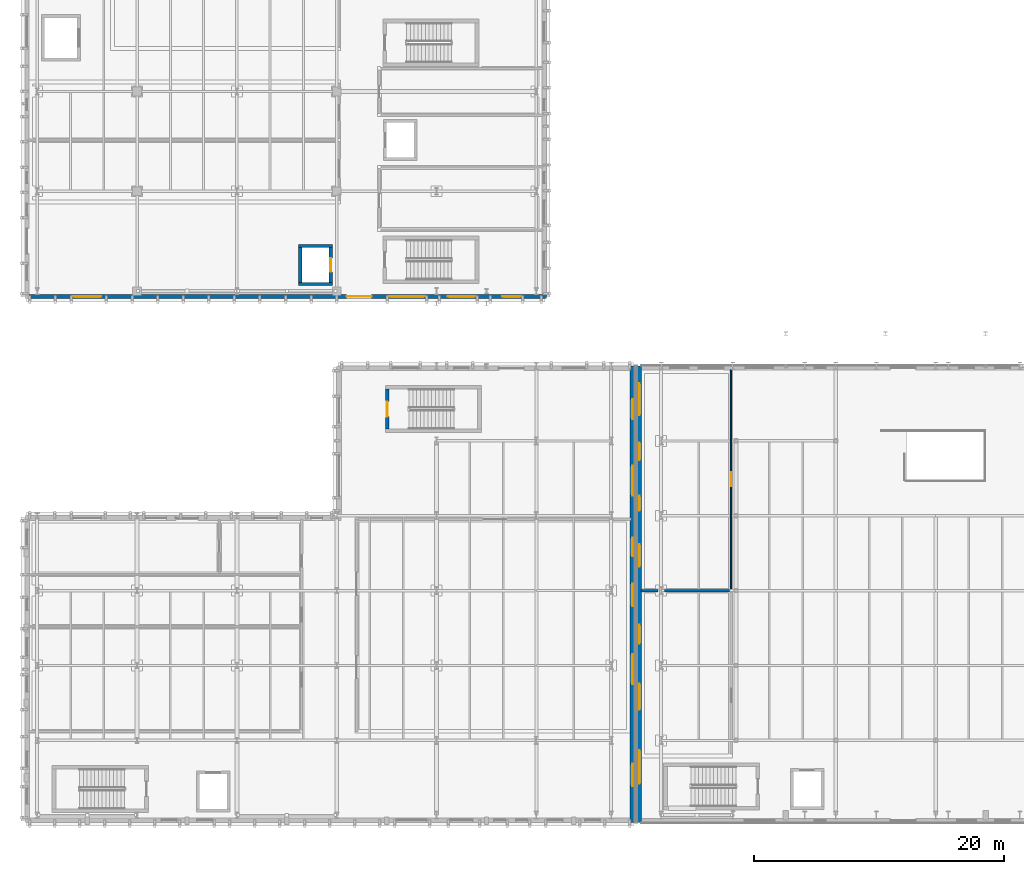
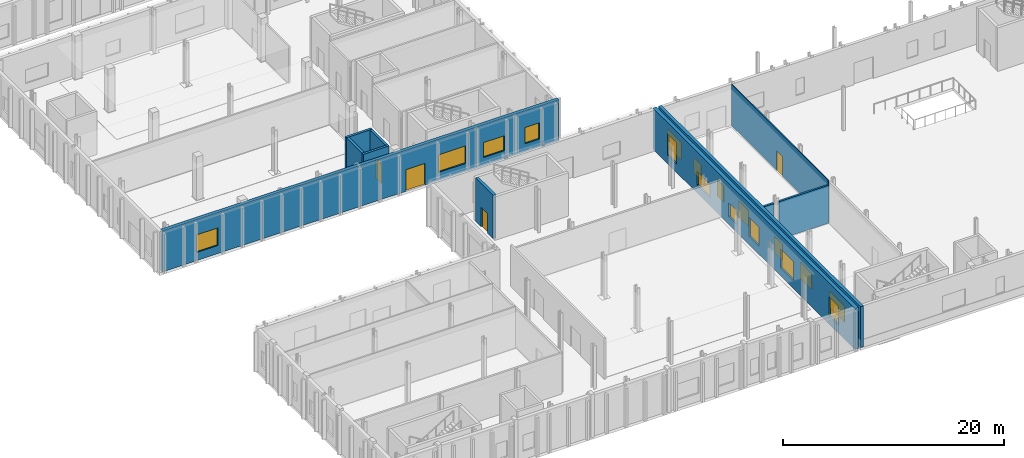
# One storey, part 23 of 60: 17 windows, 11 walls, 4 doors, 21 openings.
"""IFC4 building model written with IfcOpenShell, lengths in metres."""

import ifcopenshell
import ifcopenshell.guid

model = None  # the IFC model being written
_history = None  # IfcOwnerHistory: only IFC2X3 demands one
_inside = {}  # id of a spatial element -> (the spatial element, [elements in it])
_under = {}  # id of a project, library or spatial element -> (it, [spatial elements below it])
_declared = {}  # id of a project -> (the project, [libraries it declares])
_typed = {}  # id of a type object -> (the type object, [elements of that type])
_made_of = {}  # id of a material, layer set ... -> (it, [elements and type objects made of it])


def new_model(schema):
    """Start an empty IFC model of exactly this schema.

    Asked for "IFC4X3", IfcOpenShell would pick the latest addendum, in which some entities
    have other attributes; the version numbers below select the first issue.
    IFC2X3 requires an IfcOwnerHistory on every rooted entity: one is made here for all.
    """
    global model, _history
    if schema == "IFC4X3":
        model = ifcopenshell.file(schema_version=(4, 3, 0, 0))
    else:
        model = ifcopenshell.file(schema=schema)
    _inside.clear()
    _under.clear()
    _declared.clear()
    _typed.clear()
    _made_of.clear()
    _history = None
    if model.schema == "IFC2X3":
        org = make("IfcOrganization", Name="unknown")
        user = make(
            "IfcPersonAndOrganization",
            ThePerson=make("IfcPerson", FamilyName="unknown"),
            TheOrganization=org,
        )
        app = make(
            "IfcApplication",
            ApplicationDeveloper=org,
            Version="unknown",
            ApplicationFullName="unknown",
            ApplicationIdentifier="unknown",
        )
        _history = make(
            "IfcOwnerHistory",
            OwningUser=user,
            OwningApplication=app,
            ChangeAction="ADDED",
            CreationDate=0,
        )
    return model


def make(cls, **values):
    """One entity of the class cls with the attributes given. An attribute that is None is left unset."""
    return model.create_entity(
        cls, **{name: value for name, value in values.items() if value is not None}
    )


def rooted(cls, **values):
    """An entity with a GlobalId (a new one), such as an element, a storey or a relation."""
    return make(cls, GlobalId=ifcopenshell.guid.new(), OwnerHistory=_history, **values)


def si_unit(unit_type, name, prefix=None):
    """IfcSIUnit, for example si_unit("LENGTHUNIT", "METRE", prefix="MILLI")."""
    return make("IfcSIUnit", UnitType=unit_type, Prefix=prefix, Name=name)


def assignment(units):
    """IfcUnitAssignment: the units of a project."""
    return None if units is None else make("IfcUnitAssignment", Units=units)


def point(xyz):
    """IfcCartesianPoint."""
    return None if xyz is None else make("IfcCartesianPoint", Coordinates=xyz)


def direction(xyz):
    """IfcDirection."""
    return None if xyz is None else make("IfcDirection", DirectionRatios=xyz)


def frame(location, z_axis=None, x_axis=None):
    """IfcAxis2Placement3D, a coordinate frame: its origin and axes. An axis left out is left unset."""
    return make(
        "IfcAxis2Placement3D",
        Location=point(location),
        Axis=direction(z_axis),
        RefDirection=direction(x_axis),
    )


def frame_2d(location, x_axis=None):
    """IfcAxis2Placement2D, a coordinate frame in the plane: its origin and x axis."""
    return make(
        "IfcAxis2Placement2D", Location=point(location), RefDirection=direction(x_axis)
    )


def origin():
    """The frame at (0, 0, 0) with its axes left unset."""
    return frame((0.0, 0.0, 0.0))


def place(relative_to, where):
    """IfcLocalPlacement: puts the frame where relative to a parent placement (None: the world)."""
    return make(
        "IfcLocalPlacement", PlacementRelTo=relative_to, RelativePlacement=where
    )


def context(
    kind, dimensions, precision=None, world=None, true_north=None, identifier=None
):
    """IfcGeometricRepresentationContext, for example the 3D "Model" context."""
    return make(
        "IfcGeometricRepresentationContext",
        ContextIdentifier=identifier,
        ContextType=kind,
        CoordinateSpaceDimension=dimensions,
        Precision=precision,
        WorldCoordinateSystem=world,
        TrueNorth=true_north,
    )


def subcontext(parent, identifier, kind, view, scale=None):
    """IfcGeometricRepresentationSubContext, for example "Body" below "Model"."""
    return make(
        "IfcGeometricRepresentationSubContext",
        ContextIdentifier=identifier,
        ContextType=kind,
        ParentContext=parent,
        TargetScale=scale,
        TargetView=view,
    )


def project(units=None, contexts=None):
    """IfcProject with its units and contexts."""
    return rooted(
        "IfcProject",
        Name="project",
        RepresentationContexts=contexts,
        UnitsInContext=assignment(units),
    )


def spatial(cls, under=None, at=None, **own):
    """A site, building, storey or space (cls), placed at a placement, below another one or the project."""
    s = rooted(cls, ObjectPlacement=at, **own)
    if under is not None:
        _under.setdefault(under.id(), (under, []))[1].append(s)
    return s


def profile(cls, at=None, kind="AREA", **sizes):
    """A parametric profile (cls). Its sizes go by their IFC names, for example OverallWidth=200.0."""
    return make(cls, ProfileType=kind, Position=at, **sizes)


def rectangle(**sizes):
    """IfcRectangleProfileDef."""
    return profile("IfcRectangleProfileDef", **sizes)


def extrude(swept, where, along, depth):
    """IfcExtrudedAreaSolid: the profile swept, set in the frame where, extruded along a direction by depth."""
    return make(
        "IfcExtrudedAreaSolid",
        SweptArea=swept,
        Position=where,
        ExtrudedDirection=direction(along),
        Depth=depth,
    )


def shape(context_of_items, identifier, shape_type, items):
    """IfcShapeRepresentation: the items that make up one representation, for example the "Body"."""
    return make(
        "IfcShapeRepresentation",
        ContextOfItems=context_of_items,
        RepresentationIdentifier=identifier,
        RepresentationType=shape_type,
        Items=items,
    )


def material(Name=None, Category=None):
    """IfcMaterial."""
    return make("IfcMaterial", Name=Name, Category=Category)


def layer(
    of_material, thickness, ventilated=None, Name=None, Category=None, Priority=None
):
    """IfcMaterialLayer: one layer of a wall or slab, of a material (None: an air gap)."""
    return make(
        "IfcMaterialLayer",
        Material=of_material,
        LayerThickness=thickness,
        IsVentilated=ventilated,
        Name=Name,
        Category=Category,
        Priority=Priority,
    )


def layer_set(layers, Name=None):
    """IfcMaterialLayerSet."""
    return make("IfcMaterialLayerSet", MaterialLayers=layers, LayerSetName=Name)


def made_of(thing, what):
    """Note that an element or type object is made of a material, layer set ...; save() writes the relation."""
    if what is not None:
        _made_of.setdefault(what.id(), (what, []))[1].append(thing)
    return thing


def type_object(cls, material=None, **own):
    """A type object (cls), such as IfcWallType, which elements share."""
    return made_of(rooted(cls, **own), material)


def element(
    cls,
    number,
    at=None,
    inside=None,
    cuts=None,
    type_object=None,
    material=None,
    context=None,
    identifier="Body",
    shape_type=None,
    held_by="IfcProductDefinitionShape",
    body=None,
    shapes=None,
    **own,
):
    """One element of the class cls, such as IfcWall. Its Tag is "e" and its number.

    at: its placement. inside: the storey or other place that contains it. cuts: it is an
    opening in that element (IfcRelVoidsElement). A single representation is given by context,
    identifier, shape_type and body (its items); several are given by shapes. held_by: the class
    of the entity that holds the representations. save() writes the other relations.
    """
    e = rooted(cls, Tag="e%d" % number, ObjectPlacement=at, **own)
    if body is not None:
        shapes = [shape(context, identifier, shape_type, body)]
    if shapes is not None:
        e.Representation = make(held_by, Representations=shapes)
    if inside is not None:
        _inside.setdefault(inside.id(), (inside, []))[1].append(e)
    if cuts is not None:
        rooted(
            "IfcRelVoidsElement", RelatingBuildingElement=cuts, RelatedOpeningElement=e
        )
    if type_object is not None:
        _typed.setdefault(type_object.id(), (type_object, []))[1].append(e)
    return made_of(e, material)


def fill(opening, filler):
    """IfcRelFillsElement: the door or window that sits in an opening."""
    return rooted(
        "IfcRelFillsElement",
        RelatingOpeningElement=opening,
        RelatedBuildingElement=filler,
    )


def aggregate(whole, parts):
    """IfcRelAggregates: a whole, such as a stair, and the parts it consists of."""
    return rooted("IfcRelAggregates", RelatingObject=whole, RelatedObjects=parts)


def save(model, path):
    """Write the relations noted so far, then the file.

    IfcRelAggregates (storeys below a building ...), IfcRelContainedInSpatialStructure (elements
    in a storey), IfcRelDefinesByType, IfcRelAssociatesMaterial and IfcRelDeclares: one each for
    every whole, place, type object, material and project.
    """
    for whole, parts in _under.values():
        aggregate(whole, parts)
    for where, things in _inside.values():
        rooted(
            "IfcRelContainedInSpatialStructure",
            RelatedElements=things,
            RelatingStructure=where,
        )
    for kind, things in _typed.values():
        rooted("IfcRelDefinesByType", RelatedObjects=things, RelatingType=kind)
    for what, things in _made_of.values():
        rooted("IfcRelAssociatesMaterial", RelatedObjects=things, RelatingMaterial=what)
    for by, libraries in _declared.values():
        rooted("IfcRelDeclares", RelatingContext=by, RelatedDefinitions=libraries)
    model.write(path)


model = new_model("IFC4")

# Units and contexts
model_context = context("Model", 3, precision=1e-05, world=origin(), true_north=direction((0.0, 1.0)))
body_context = subcontext(model_context, "Body", "Model", "MODEL_VIEW")
ifc_project = project(units=[si_unit("LENGTHUNIT", "METRE"), si_unit("AREAUNIT", "SQUARE_METRE"), si_unit("VOLUMEUNIT", "CUBIC_METRE"), si_unit("PLANEANGLEUNIT", "RADIAN"), si_unit("MASSUNIT", "GRAM", prefix="KILO")], contexts=[model_context])

# Site, building, storey
site_placement = place(None, origin())
site = spatial("IfcSite", under=ifc_project, at=site_placement, CompositionType="ELEMENT")
building_placement = place(site_placement, origin())
building = spatial("IfcBuilding", under=site, at=building_placement, Name="Cymarion Research Institute", CompositionType="ELEMENT")
storey_placement = place(building_placement, origin())
storey = spatial("IfcBuildingStorey", under=building, at=storey_placement, Name="L00", CompositionType="ELEMENT", Elevation=0.0)

# Wall, openings, door, windows
ifc_material_1 = material(Name="Precast concrete C40/50", Category="concrete")
ifc_layer_1 = layer(ifc_material_1, 0.340087890625)
ifc_layer_set_1 = layer_set([ifc_layer_1], Name="Precast concrete C40/50")
wall_type_1 = type_object("IfcWallType", Name="EXTERIOR WALL EW-PC340 340MM", PredefinedType="SOLIDWALL", material=ifc_layer_set_1)
wall_1_placement = place(storey_placement, frame((5.922119140625, 47.070068359375, 0.0), z_axis=(0.0, 0.0, 1.0), x_axis=(1.0, 0.0, 0.0)))
wall_1 = element("IfcWall", 1, at=wall_1_placement, inside=storey, type_object=wall_type_1, Name="L00 V4 exterior wall EW-PC340 #65", PredefinedType="SOLIDWALL", context=body_context, shape_type="SweptSolid", body=[
    extrude(rectangle(XDim=41.477783203125, YDim=0.340087890625, at=frame_2d((20.73876953125, 0.0))), origin(), (0.0, 0.0, 1.0), 4.550048828125),
])
opening_1_placement = place(wall_1_placement, frame((25.47802734375, 0.0, 0.0)))
opening_1 = element("IfcOpeningElement", 2, at=opening_1_placement, cuts=wall_1, Name="Opening D-EX13", PredefinedType="OPENING", context=body_context, shape_type="SweptSolid", body=[
    extrude(rectangle(XDim=2.0, YDim=2.39990234375, at=frame_2d((1.0, 1.199951171875))), frame((0.0, 0.179931640625, 0.0), z_axis=(0.0, -1.0, 0.0), x_axis=(1.0, 0.0, 0.0)), (0.0, 0.0, 1.0), 0.360107421875),
])
opening_2_placement = place(wall_1_placement, frame((3.54296875, 0.0, 0.89990234375)))
opening_2 = element("IfcOpeningElement", 3, at=opening_2_placement, cuts=wall_1, Name="Opening W30", PredefinedType="OPENING", context=body_context, shape_type="SweptSolid", body=[
    extrude(rectangle(XDim=2.25, YDim=1.949951171875, at=frame_2d((1.125, 0.97509765625))), frame((0.0, 0.179931640625, 0.0), z_axis=(0.0, -1.0, 0.0), x_axis=(1.0, 0.0, 0.0)), (0.0, 0.0, 1.0), 0.360107421875),
])
opening_3_placement = place(wall_1_placement, frame((28.883056640625, 0.0, 0.89990234375)))
opening_3 = element("IfcOpeningElement", 4, at=opening_3_placement, cuts=wall_1, Name="Opening W32", PredefinedType="OPENING", context=body_context, shape_type="SweptSolid", body=[
    extrude(rectangle(XDim=2.85009765625, YDim=1.949951171875, at=frame_2d((1.425048828125, 0.97509765625))), frame((0.0, 0.179931640625, 0.0), z_axis=(0.0, -1.0, 0.0), x_axis=(1.0, 0.0, 0.0)), (0.0, 0.0, 1.0), 0.360107421875),
])
opening_4_placement = place(wall_1_placement, frame((33.577880859375, 0.0, 0.89990234375)))
opening_4 = element("IfcOpeningElement", 5, at=opening_4_placement, cuts=wall_1, Name="Opening W34", PredefinedType="OPENING", context=body_context, shape_type="SweptSolid", body=[
    extrude(rectangle(XDim=2.199951171875, YDim=1.64990234375, at=frame_2d((1.10009765625, 0.824951171875))), frame((0.0, 0.179931640625, 0.0), z_axis=(0.0, -1.0, 0.0), x_axis=(1.0, 0.0, 0.0)), (0.0, 0.0, 1.0), 0.360107421875),
])
opening_5_placement = place(wall_1_placement, frame((37.927978515625, 0.0, 0.89990234375)))
opening_5 = element("IfcOpeningElement", 6, at=opening_5_placement, cuts=wall_1, Name="Opening W02", PredefinedType="OPENING", context=body_context, shape_type="SweptSolid", body=[
    extrude(rectangle(XDim=1.5, YDim=1.800048828125, at=frame_2d((0.75, 0.89990234375))), frame((0.0, 0.179931640625, 0.0), z_axis=(0.0, -1.0, 0.0), x_axis=(1.0, 0.0, 0.0)), (0.0, 0.0, 1.0), 0.360107421875),
])
ifc_material_2 = material(Name="Thermally broken anodised aluminium glazed door", Category="aluminium")
door_type_1 = type_object("IfcDoorType", Name="GLAZED ALUMINIUM DOUBLE EXIT DOOR DT-EX200 2000X2400", OperationType="DOUBLE_DOOR_SINGLE_SWING", PredefinedType="DOOR", material=ifc_material_2)
door_1_placement = place(opening_1_placement, frame((2.0, 0.0, 0.0), z_axis=(0.0, 0.0, 1.0), x_axis=(-1.0, 0.0, 0.0)))
door_1 = element("IfcDoor", 7, at=door_1_placement, inside=storey, type_object=door_type_1, Name="L00 V4 Final Exit Door D-EX13", OperationType="DOUBLE_DOOR_SINGLE_SWING", OverallHeight=2.39990234375, OverallWidth=2.0, PredefinedType="DOOR", context=body_context, shape_type="SweptSolid", body=[
    extrude(rectangle(XDim=2.0, YDim=2.39990234375, at=frame_2d((1.0, 1.199951171875))), frame((0.0, 0.02490234375, 0.0), z_axis=(0.0, -1.0, 0.0), x_axis=(1.0, 0.0, 0.0)), (0.0, 0.0, 1.0), 0.050048828125),
])
fill(opening_1, door_1)
ifc_material_3 = material(Name="Thermally broken aluminium window with Low-E glazing", Category="aluminium")
window_type_1 = type_object("IfcWindowType", Name="THERMALLY BROKEN ALUMINIUM WINDOW W02 1500X1800", PartitioningType="DOUBLE_PANEL_VERTICAL", PredefinedType="WINDOW", material=ifc_material_3)
window_1_placement = place(opening_5_placement, origin())
window_1 = element("IfcWindow", 8, at=window_1_placement, inside=storey, type_object=window_type_1, Name="L00 V4 facade window W02 #100", OverallHeight=1.800048828125, OverallWidth=1.5, PartitioningType="SINGLE_PANEL", PredefinedType="WINDOW", context=body_context, shape_type="SweptSolid", body=[
    extrude(rectangle(XDim=1.5, YDim=1.800048828125, at=frame_2d((0.75, 0.89990234375))), frame((0.0, 0.030029296875, 0.0), z_axis=(0.0, -1.0, 0.0), x_axis=(1.0, 0.0, 0.0)), (0.0, 0.0, 1.0), 0.06005859375),
])
fill(opening_5, window_1)
window_type_2 = type_object("IfcWindowType", Name="THERMALLY BROKEN ALUMINIUM WINDOW W30 2250X1950", PartitioningType="DOUBLE_PANEL_VERTICAL", PredefinedType="WINDOW", material=ifc_material_3)
window_2_placement = place(opening_2_placement, origin())
window_2 = element("IfcWindow", 9, at=window_2_placement, inside=storey, type_object=window_type_2, Name="L00 V4 facade window W30 #97", OverallHeight=1.949951171875, OverallWidth=2.25, PartitioningType="SINGLE_PANEL", PredefinedType="WINDOW", context=body_context, shape_type="SweptSolid", body=[
    extrude(rectangle(XDim=2.25, YDim=1.949951171875, at=frame_2d((1.125, 0.97509765625))), frame((0.0, 0.030029296875, 0.0), z_axis=(0.0, -1.0, 0.0), x_axis=(1.0, 0.0, 0.0)), (0.0, 0.0, 1.0), 0.06005859375),
])
fill(opening_2, window_2)
window_type_3 = type_object("IfcWindowType", Name="THERMALLY BROKEN ALUMINIUM WINDOW W32 2850X1950", PartitioningType="TRIPLE_PANEL_VERTICAL", PredefinedType="WINDOW", material=ifc_material_3)
window_3_placement = place(opening_3_placement, origin())
window_3 = element("IfcWindow", 10, at=window_3_placement, inside=storey, type_object=window_type_3, Name="L00 V4 facade window W32 #98", OverallHeight=1.949951171875, OverallWidth=2.85009765625, PartitioningType="SINGLE_PANEL", PredefinedType="WINDOW", context=body_context, shape_type="SweptSolid", body=[
    extrude(rectangle(XDim=2.85009765625, YDim=1.949951171875, at=frame_2d((1.425048828125, 0.97509765625))), frame((0.0, 0.030029296875, 0.0), z_axis=(0.0, -1.0, 0.0), x_axis=(1.0, 0.0, 0.0)), (0.0, 0.0, 1.0), 0.06005859375),
])
fill(opening_3, window_3)
window_type_4 = type_object("IfcWindowType", Name="THERMALLY BROKEN ALUMINIUM WINDOW W34 2200X1650", PartitioningType="DOUBLE_PANEL_VERTICAL", PredefinedType="WINDOW", material=ifc_material_3)
window_4_placement = place(opening_4_placement, origin())
window_4 = element("IfcWindow", 11, at=window_4_placement, inside=storey, type_object=window_type_4, Name="L00 V4 facade window W34 #99", OverallHeight=1.64990234375, OverallWidth=2.199951171875, PartitioningType="SINGLE_PANEL", PredefinedType="WINDOW", context=body_context, shape_type="SweptSolid", body=[
    extrude(rectangle(XDim=2.199951171875, YDim=1.64990234375, at=frame_2d((1.10009765625, 0.824951171875))), frame((0.0, 0.030029296875, 0.0), z_axis=(0.0, -1.0, 0.0), x_axis=(1.0, 0.0, 0.0)), (0.0, 0.0, 1.0), 0.06005859375),
])
fill(opening_4, window_4)

# Wall, openings, windows
ifc_layer_2 = layer(ifc_material_1, 0.3798828125)
ifc_layer_set_2 = layer_set([ifc_layer_2], Name="Precast concrete C40/50")
wall_type_2 = type_object("IfcWallType", Name="EXTERIOR WALL EW-PC380 380MM", PredefinedType="SOLIDWALL", material=ifc_layer_set_2)
wall_2_placement = place(storey_placement, frame((54.31005859375, 4.89990234375, 0.0), z_axis=(0.0, 0.0, 1.0), x_axis=(0.0, 1.0, 0.0)))
wall_2 = element("IfcWall", 12, at=wall_2_placement, inside=storey, type_object=wall_type_2, Name="L00 V3 exterior wall EW-PC380 #60", PredefinedType="SOLIDWALL", context=body_context, shape_type="SweptSolid", body=[
    extrude(rectangle(XDim=36.60009765625, YDim=0.3798828125, at=frame_2d((18.300048828125, 0.0))), origin(), (0.0, 0.0, 1.0), 4.550048828125),
])
opening_6_placement = place(wall_2_placement, frame((2.919921875, 0.0, 0.89990234375)))
opening_6 = element("IfcOpeningElement", 13, at=opening_6_placement, cuts=wall_2, Name="Opening W10", PredefinedType="OPENING", context=body_context, shape_type="SweptSolid", body=[
    extrude(rectangle(XDim=1.800048828125, YDim=2.10009765625, at=frame_2d((0.89990234375, 1.050048828125))), frame((0.0, 0.199951171875, 0.0), z_axis=(0.0, -1.0, 0.0), x_axis=(1.0, 0.0, 0.0)), (0.0, 0.0, 1.0), 0.39990234375),
])
opening_7_placement = place(wall_2_placement, frame((11.10009765625, 0.0, 0.89990234375)))
opening_7 = element("IfcOpeningElement", 14, at=opening_7_placement, cuts=wall_2, Name="Opening W12", PredefinedType="OPENING", context=body_context, shape_type="SweptSolid", body=[
    extrude(rectangle(XDim=2.39990234375, YDim=2.10009765625, at=frame_2d((1.199951171875, 1.050048828125))), frame((0.0, 0.199951171875, 0.0), z_axis=(0.0, -1.0, 0.0), x_axis=(1.0, 0.0, 0.0)), (0.0, 0.0, 1.0), 0.39990234375),
])
opening_8_placement = place(wall_2_placement, frame((17.35009765625, 0.0, 0.89990234375)))
opening_8 = element("IfcOpeningElement", 15, at=opening_8_placement, cuts=wall_2, Name="Opening W10", PredefinedType="OPENING", context=body_context, shape_type="SweptSolid", body=[
    extrude(rectangle(XDim=1.800048828125, YDim=2.10009765625, at=frame_2d((0.89990234375, 1.050048828125))), frame((0.0, 0.199951171875, 0.0), z_axis=(0.0, -1.0, 0.0), x_axis=(1.0, 0.0, 0.0)), (0.0, 0.0, 1.0), 0.39990234375),
])
opening_9_placement = place(wall_2_placement, frame((21.35009765625, 0.0, 0.89990234375)))
opening_9 = element("IfcOpeningElement", 16, at=opening_9_placement, cuts=wall_2, Name="Opening W16", PredefinedType="OPENING", context=body_context, shape_type="SweptSolid", body=[
    extrude(rectangle(XDim=1.5, YDim=1.5, at=frame_2d((0.75, 0.75))), frame((0.0, 0.199951171875, 0.0), z_axis=(0.0, -1.0, 0.0), x_axis=(1.0, 0.0, 0.0)), (0.0, 0.0, 1.0), 0.39990234375),
])
opening_10_placement = place(wall_2_placement, frame((26.2099609375, 0.0, 0.89990234375)))
opening_10 = element("IfcOpeningElement", 17, at=opening_10_placement, cuts=wall_2, Name="Opening W18", PredefinedType="OPENING", context=body_context, shape_type="SweptSolid", body=[
    extrude(rectangle(XDim=2.39990234375, YDim=1.5, at=frame_2d((1.199951171875, 0.75))), frame((0.0, 0.199951171875, 0.0), z_axis=(0.0, -1.0, 0.0), x_axis=(1.0, 0.0, 0.0)), (0.0, 0.0, 1.0), 0.39990234375),
])
opening_11_placement = place(wall_2_placement, frame((32.35009765625, 0.0, 0.89990234375)))
opening_11 = element("IfcOpeningElement", 18, at=opening_11_placement, cuts=wall_2, Name="Opening W20", PredefinedType="OPENING", context=body_context, shape_type="SweptSolid", body=[
    extrude(rectangle(XDim=1.60009765625, YDim=2.39990234375, at=frame_2d((0.800048828125, 1.199951171875))), frame((0.0, 0.199951171875, 0.0), z_axis=(0.0, -1.0, 0.0), x_axis=(1.0, 0.0, 0.0)), (0.0, 0.0, 1.0), 0.39990234375),
])
window_type_5 = type_object("IfcWindowType", Name="THERMALLY BROKEN ALUMINIUM WINDOW W10 1800X2100", PartitioningType="DOUBLE_PANEL_VERTICAL", PredefinedType="WINDOW", material=ifc_material_3)
window_5_placement = place(opening_6_placement, origin())
window_5 = element("IfcWindow", 19, at=window_5_placement, inside=storey, type_object=window_type_5, Name="L00 V3 facade window W10 #76", OverallHeight=2.10009765625, OverallWidth=1.800048828125, PartitioningType="SINGLE_PANEL", PredefinedType="WINDOW", context=body_context, shape_type="SweptSolid", body=[
    extrude(rectangle(XDim=1.800048828125, YDim=2.10009765625, at=frame_2d((0.89990234375, 1.050048828125))), frame((0.0, 0.030029296875, 0.0), z_axis=(0.0, -1.0, 0.0), x_axis=(1.0, 0.0, 0.0)), (0.0, 0.0, 1.0), 0.06005859375),
])
fill(opening_6, window_5)
window_6_placement = place(opening_8_placement, origin())
window_6 = element("IfcWindow", 20, at=window_6_placement, inside=storey, type_object=window_type_5, Name="L00 V3 facade window W10 #78", OverallHeight=2.10009765625, OverallWidth=1.800048828125, PartitioningType="SINGLE_PANEL", PredefinedType="WINDOW", context=body_context, shape_type="SweptSolid", body=[
    extrude(rectangle(XDim=1.800048828125, YDim=2.10009765625, at=frame_2d((0.89990234375, 1.050048828125))), frame((0.0, 0.030029296875, 0.0), z_axis=(0.0, -1.0, 0.0), x_axis=(1.0, 0.0, 0.0)), (0.0, 0.0, 1.0), 0.06005859375),
])
fill(opening_8, window_6)
window_type_6 = type_object("IfcWindowType", Name="THERMALLY BROKEN ALUMINIUM WINDOW W12 2400X2100", PartitioningType="TRIPLE_PANEL_VERTICAL", PredefinedType="WINDOW", material=ifc_material_3)
window_7_placement = place(opening_7_placement, origin())
window_7 = element("IfcWindow", 21, at=window_7_placement, inside=storey, type_object=window_type_6, Name="L00 V3 facade window W12 #77", OverallHeight=2.10009765625, OverallWidth=2.39990234375, PartitioningType="SINGLE_PANEL", PredefinedType="WINDOW", context=body_context, shape_type="SweptSolid", body=[
    extrude(rectangle(XDim=2.39990234375, YDim=2.10009765625, at=frame_2d((1.199951171875, 1.050048828125))), frame((0.0, 0.030029296875, 0.0), z_axis=(0.0, -1.0, 0.0), x_axis=(1.0, 0.0, 0.0)), (0.0, 0.0, 1.0), 0.06005859375),
])
fill(opening_7, window_7)
window_type_7 = type_object("IfcWindowType", Name="THERMALLY BROKEN ALUMINIUM WINDOW W16 1500X1500", PartitioningType="DOUBLE_PANEL_HORIZONTAL", PredefinedType="WINDOW", material=ifc_material_3)
window_8_placement = place(opening_9_placement, origin())
window_8 = element("IfcWindow", 22, at=window_8_placement, inside=storey, type_object=window_type_7, Name="L00 V3 facade window W16 #79", OverallHeight=1.5, OverallWidth=1.5, PartitioningType="SINGLE_PANEL", PredefinedType="WINDOW", context=body_context, shape_type="SweptSolid", body=[
    extrude(rectangle(XDim=1.5, YDim=1.5, at=frame_2d((0.75, 0.75))), frame((0.0, 0.030029296875, 0.0), z_axis=(0.0, -1.0, 0.0), x_axis=(1.0, 0.0, 0.0)), (0.0, 0.0, 1.0), 0.06005859375),
])
fill(opening_9, window_8)
window_type_8 = type_object("IfcWindowType", Name="THERMALLY BROKEN ALUMINIUM WINDOW W18 2400X1500", PartitioningType="TRIPLE_PANEL_HORIZONTAL", PredefinedType="WINDOW", material=ifc_material_3)
window_9_placement = place(opening_10_placement, origin())
window_9 = element("IfcWindow", 23, at=window_9_placement, inside=storey, type_object=window_type_8, Name="L00 V3 facade window W18 #80", OverallHeight=1.5, OverallWidth=2.39990234375, PartitioningType="SINGLE_PANEL", PredefinedType="WINDOW", context=body_context, shape_type="SweptSolid", body=[
    extrude(rectangle(XDim=2.39990234375, YDim=1.5, at=frame_2d((1.199951171875, 0.75))), frame((0.0, 0.030029296875, 0.0), z_axis=(0.0, -1.0, 0.0), x_axis=(1.0, 0.0, 0.0)), (0.0, 0.0, 1.0), 0.06005859375),
])
fill(opening_10, window_9)
window_type_9 = type_object("IfcWindowType", Name="THERMALLY BROKEN ALUMINIUM WINDOW W20 1600X2400", PartitioningType="DOUBLE_PANEL_VERTICAL", PredefinedType="WINDOW", material=ifc_material_3)
window_10_placement = place(opening_11_placement, origin())
window_10 = element("IfcWindow", 24, at=window_10_placement, inside=storey, type_object=window_type_9, Name="L00 V3 facade window W20 #81", OverallHeight=2.39990234375, OverallWidth=1.60009765625, PartitioningType="SINGLE_PANEL", PredefinedType="WINDOW", context=body_context, shape_type="SweptSolid", body=[
    extrude(rectangle(XDim=1.60009765625, YDim=2.39990234375, at=frame_2d((0.800048828125, 1.199951171875))), frame((0.0, 0.030029296875, 0.0), z_axis=(0.0, -1.0, 0.0), x_axis=(1.0, 0.0, 0.0)), (0.0, 0.0, 1.0), 0.06005859375),
])
fill(opening_11, window_10)

ifc_material_4 = material(Name="Concrete C40/50", Category="concrete")
ifc_layer_3 = layer(ifc_material_4, 0.320068359375)
ifc_layer_set_3 = layer_set([ifc_layer_3], Name="Concrete C40/50")
wall_type_3 = type_object("IfcWallType", Name="EXTERIOR WALL EW-RC320 320MM", PredefinedType="SHEAR", material=ifc_layer_set_3)
wall_3_placement = place(storey_placement, frame((54.860107421875, 41.5, 0.0), z_axis=(0.0, 0.0, 1.0), x_axis=(0.0, -1.0, 0.0)))
wall_3 = element("IfcWall", 25, at=wall_3_placement, inside=storey, type_object=wall_type_3, Name="L00 V2 exterior wall EW-RC320 #58", PredefinedType="SHEAR", context=body_context, shape_type="SweptSolid", body=[
    extrude(rectangle(XDim=36.60009765625, YDim=0.320068359375, at=frame_2d((18.300048828125, 0.0))), origin(), (0.0, 0.0, 1.0), 4.550048828125),
])
opening_12_placement = place(wall_3_placement, frame((1.389892578125, 0.0, 0.89990234375)))
opening_12 = element("IfcOpeningElement", 26, at=opening_12_placement, cuts=wall_3, Name="Opening W31", PredefinedType="OPENING", context=body_context, shape_type="SweptSolid", body=[
    extrude(rectangle(XDim=2.550048828125, YDim=1.949951171875, at=frame_2d((1.27490234375, 0.97509765625))), frame((0.0, 0.169921875, 0.0), z_axis=(0.0, -1.0, 0.0), x_axis=(1.0, 0.0, 0.0)), (0.0, 0.0, 1.0), 0.340087890625),
])
opening_13_placement = place(wall_3_placement, frame((6.135009765625, 0.0, 0.89990234375)))
opening_13 = element("IfcOpeningElement", 27, at=opening_13_placement, cuts=wall_3, Name="Opening W33", PredefinedType="OPENING", context=body_context, shape_type="SweptSolid", body=[
    extrude(rectangle(XDim=1.39990234375, YDim=1.64990234375, at=frame_2d((0.699951171875, 0.824951171875))), frame((0.0, 0.169921875, 0.0), z_axis=(0.0, -1.0, 0.0), x_axis=(1.0, 0.0, 0.0)), (0.0, 0.0, 1.0), 0.340087890625),
])
opening_14_placement = place(wall_3_placement, frame((10.405029296875, 0.0, 0.89990234375)))
opening_14 = element("IfcOpeningElement", 28, at=opening_14_placement, cuts=wall_3, Name="Opening W01", PredefinedType="OPENING", context=body_context, shape_type="SweptSolid", body=[
    extrude(rectangle(XDim=1.199951171875, YDim=1.800048828125, at=frame_2d((0.60009765625, 0.89990234375))), frame((0.0, 0.169921875, 0.0), z_axis=(0.0, -1.0, 0.0), x_axis=(1.0, 0.0, 0.0)), (0.0, 0.0, 1.0), 0.340087890625),
])
opening_15_placement = place(wall_3_placement, frame((14.27490234375, 0.0, 0.89990234375)))
opening_15 = element("IfcOpeningElement", 29, at=opening_15_placement, cuts=wall_3, Name="Opening W03", PredefinedType="OPENING", context=body_context, shape_type="SweptSolid", body=[
    extrude(rectangle(XDim=1.800048828125, YDim=1.800048828125, at=frame_2d((0.89990234375, 0.89990234375))), frame((0.0, 0.169921875, 0.0), z_axis=(0.0, -1.0, 0.0), x_axis=(1.0, 0.0, 0.0)), (0.0, 0.0, 1.0), 0.340087890625),
])
opening_16_placement = place(wall_3_placement, frame((20.75, 0.0, 0.89990234375)))
opening_16 = element("IfcOpeningElement", 30, at=opening_16_placement, cuts=wall_3, Name="Opening W02", PredefinedType="OPENING", context=body_context, shape_type="SweptSolid", body=[
    extrude(rectangle(XDim=1.5, YDim=1.800048828125, at=frame_2d((0.75, 0.89990234375))), frame((0.0, 0.169921875, 0.0), z_axis=(0.0, -1.0, 0.0), x_axis=(1.0, 0.0, 0.0)), (0.0, 0.0, 1.0), 0.340087890625),
])
opening_17_placement = place(wall_3_placement, frame((25.449951171875, 0.0, 0.89990234375)))
opening_17 = element("IfcOpeningElement", 31, at=opening_17_placement, cuts=wall_3, Name="Opening W04", PredefinedType="OPENING", context=body_context, shape_type="SweptSolid", body=[
    extrude(rectangle(XDim=2.10009765625, YDim=1.800048828125, at=frame_2d((1.050048828125, 0.89990234375))), frame((0.0, 0.169921875, 0.0), z_axis=(0.0, -1.0, 0.0), x_axis=(1.0, 0.0, 0.0)), (0.0, 0.0, 1.0), 0.340087890625),
])
opening_18_placement = place(wall_3_placement, frame((30.780029296875, 0.0, 0.89990234375)))
opening_18 = element("IfcOpeningElement", 32, at=opening_18_placement, cuts=wall_3, Name="Opening W06", PredefinedType="OPENING", context=body_context, shape_type="SweptSolid", body=[
    extrude(rectangle(XDim=2.699951171875, YDim=1.800048828125, at=frame_2d((1.35009765625, 0.89990234375))), frame((0.0, 0.169921875, 0.0), z_axis=(0.0, -1.0, 0.0), x_axis=(1.0, 0.0, 0.0)), (0.0, 0.0, 1.0), 0.340087890625),
])
window_type_10 = type_object("IfcWindowType", Name="THERMALLY BROKEN ALUMINIUM WINDOW W01 1200X1800", PartitioningType="SINGLE_PANEL", PredefinedType="WINDOW", material=ifc_material_3)
window_11_placement = place(opening_14_placement, origin())
window_11 = element("IfcWindow", 33, at=window_11_placement, inside=storey, type_object=window_type_10, Name="L00 V2 facade window W01 #63", OverallHeight=1.800048828125, OverallWidth=1.199951171875, PartitioningType="SINGLE_PANEL", PredefinedType="WINDOW", context=body_context, shape_type="SweptSolid", body=[
    extrude(rectangle(XDim=1.199951171875, YDim=1.800048828125, at=frame_2d((0.60009765625, 0.89990234375))), frame((0.0, 0.030029296875, 0.0), z_axis=(0.0, -1.0, 0.0), x_axis=(1.0, 0.0, 0.0)), (0.0, 0.0, 1.0), 0.06005859375),
])
fill(opening_14, window_11)
window_12_placement = place(opening_16_placement, origin())
window_12 = element("IfcWindow", 34, at=window_12_placement, inside=storey, type_object=window_type_1, Name="L00 V2 facade window W02 #65", OverallHeight=1.800048828125, OverallWidth=1.5, PartitioningType="SINGLE_PANEL", PredefinedType="WINDOW", context=body_context, shape_type="SweptSolid", body=[
    extrude(rectangle(XDim=1.5, YDim=1.800048828125, at=frame_2d((0.75, 0.89990234375))), frame((0.0, 0.030029296875, 0.0), z_axis=(0.0, -1.0, 0.0), x_axis=(1.0, 0.0, 0.0)), (0.0, 0.0, 1.0), 0.06005859375),
])
fill(opening_16, window_12)
window_type_11 = type_object("IfcWindowType", Name="THERMALLY BROKEN ALUMINIUM WINDOW W03 1800X1800", PartitioningType="DOUBLE_PANEL_VERTICAL", PredefinedType="WINDOW", material=ifc_material_3)
window_13_placement = place(opening_15_placement, origin())
window_13 = element("IfcWindow", 35, at=window_13_placement, inside=storey, type_object=window_type_11, Name="L00 V2 facade window W03 #64", OverallHeight=1.800048828125, OverallWidth=1.800048828125, PartitioningType="SINGLE_PANEL", PredefinedType="WINDOW", context=body_context, shape_type="SweptSolid", body=[
    extrude(rectangle(XDim=1.800048828125, YDim=1.800048828125, at=frame_2d((0.89990234375, 0.89990234375))), frame((0.0, 0.030029296875, 0.0), z_axis=(0.0, -1.0, 0.0), x_axis=(1.0, 0.0, 0.0)), (0.0, 0.0, 1.0), 0.06005859375),
])
fill(opening_15, window_13)
window_type_12 = type_object("IfcWindowType", Name="THERMALLY BROKEN ALUMINIUM WINDOW W04 2100X1800", PartitioningType="DOUBLE_PANEL_VERTICAL", PredefinedType="WINDOW", material=ifc_material_3)
window_14_placement = place(opening_17_placement, origin())
window_14 = element("IfcWindow", 36, at=window_14_placement, inside=storey, type_object=window_type_12, Name="L00 V2 facade window W04 #66", OverallHeight=1.800048828125, OverallWidth=2.10009765625, PartitioningType="SINGLE_PANEL", PredefinedType="WINDOW", context=body_context, shape_type="SweptSolid", body=[
    extrude(rectangle(XDim=2.10009765625, YDim=1.800048828125, at=frame_2d((1.050048828125, 0.89990234375))), frame((0.0, 0.030029296875, 0.0), z_axis=(0.0, -1.0, 0.0), x_axis=(1.0, 0.0, 0.0)), (0.0, 0.0, 1.0), 0.06005859375),
])
fill(opening_17, window_14)
window_type_13 = type_object("IfcWindowType", Name="THERMALLY BROKEN ALUMINIUM WINDOW W06 2700X1800", PartitioningType="TRIPLE_PANEL_VERTICAL", PredefinedType="WINDOW", material=ifc_material_3)
window_15_placement = place(opening_18_placement, origin())
window_15 = element("IfcWindow", 37, at=window_15_placement, inside=storey, type_object=window_type_13, Name="L00 V2 facade window W06 #67", OverallHeight=1.800048828125, OverallWidth=2.699951171875, PartitioningType="SINGLE_PANEL", PredefinedType="WINDOW", context=body_context, shape_type="SweptSolid", body=[
    extrude(rectangle(XDim=2.699951171875, YDim=1.800048828125, at=frame_2d((1.35009765625, 0.89990234375))), frame((0.0, 0.030029296875, 0.0), z_axis=(0.0, -1.0, 0.0), x_axis=(1.0, 0.0, 0.0)), (0.0, 0.0, 1.0), 0.06005859375),
])
fill(opening_18, window_15)
window_type_14 = type_object("IfcWindowType", Name="THERMALLY BROKEN ALUMINIUM WINDOW W31 2550X1950", PartitioningType="TRIPLE_PANEL_VERTICAL", PredefinedType="WINDOW", material=ifc_material_3)
window_16_placement = place(opening_12_placement, origin())
window_16 = element("IfcWindow", 38, at=window_16_placement, inside=storey, type_object=window_type_14, Name="L00 V2 facade window W31 #61", OverallHeight=1.949951171875, OverallWidth=2.550048828125, PartitioningType="SINGLE_PANEL", PredefinedType="WINDOW", context=body_context, shape_type="SweptSolid", body=[
    extrude(rectangle(XDim=2.550048828125, YDim=1.949951171875, at=frame_2d((1.27490234375, 0.97509765625))), frame((0.0, 0.030029296875, 0.0), z_axis=(0.0, -1.0, 0.0), x_axis=(1.0, 0.0, 0.0)), (0.0, 0.0, 1.0), 0.06005859375),
])
fill(opening_12, window_16)
window_type_15 = type_object("IfcWindowType", Name="THERMALLY BROKEN ALUMINIUM WINDOW W33 1400X1650", PartitioningType="SINGLE_PANEL", PredefinedType="WINDOW", material=ifc_material_3)
window_17_placement = place(opening_13_placement, origin())
window_17 = element("IfcWindow", 39, at=window_17_placement, inside=storey, type_object=window_type_15, Name="L00 V2 facade window W33 #62", OverallHeight=1.64990234375, OverallWidth=1.39990234375, PartitioningType="SINGLE_PANEL", PredefinedType="WINDOW", context=body_context, shape_type="SweptSolid", body=[
    extrude(rectangle(XDim=1.39990234375, YDim=1.64990234375, at=frame_2d((0.699951171875, 0.824951171875))), frame((0.0, 0.030029296875, 0.0), z_axis=(0.0, -1.0, 0.0), x_axis=(1.0, 0.0, 0.0)), (0.0, 0.0, 1.0), 0.06005859375),
])
fill(opening_13, window_17)

# Walls
ifc_material_5 = material(Name="Autoclaved aerated masonry block AAC-4", Category="masonry")
ifc_layer_4 = layer(ifc_material_5, 0.199951171875)
ifc_layer_set_4 = layer_set([ifc_layer_4], Name="Autoclaved aerated masonry block AAC-4")
wall_type_4 = type_object("IfcWallType", Name="INTERIOR PARTITION IW-FR200 200MM", PredefinedType="SOLIDWALL", material=ifc_layer_set_4)
wall_4_placement = place(storey_placement, frame((55.0048828125, 23.5, 0.0), z_axis=(0.0, 0.0, 1.0), x_axis=(1.0, 0.0, 0.0)))
element("IfcWall", 40, at=wall_4_placement, inside=storey, type_object=wall_type_4, Name="L00 V2 interior partition IW-FR200 #64", PredefinedType="SOLIDWALL", context=body_context, shape_type="SweptSolid", body=[
    extrude(rectangle(XDim=1.34521484375, YDim=0.199951171875, at=frame_2d((0.672607421875, 0.0))), origin(), (0.0, 0.0, 1.0), 4.18994140625),
])
wall_5_placement = place(storey_placement, frame((56.85009765625, 23.5, 0.0), z_axis=(0.0, 0.0, 1.0), x_axis=(1.0, 0.0, 0.0)))
element("IfcWall", 41, at=wall_5_placement, inside=storey, type_object=wall_type_4, Name="L00 V2 interior partition IW-FR200 #65", PredefinedType="SOLIDWALL", context=body_context, shape_type="SweptSolid", body=[
    extrude(rectangle(XDim=5.22998046875, YDim=0.199951171875, at=frame_2d((2.614990234375, 0.0))), origin(), (0.0, 0.0, 1.0), 4.18994140625),
])

# Wall, opening, door
ifc_material_6 = material(Name="Framed acoustic glass laboratory screen", Category="glass")
ifc_layer_5 = layer(ifc_material_6, 0.10009765625)
ifc_layer_set_5 = layer_set([ifc_layer_5], Name="Framed acoustic glass laboratory screen")
wall_type_5 = type_object("IfcWallType", Name="INTERIOR PARTITION IW-GL100 100MM", PredefinedType="PARTITIONING", material=ifc_layer_set_5)
wall_6_placement = place(storey_placement, frame((62.199951171875, 23.64990234375, 0.0), z_axis=(0.0, 0.0, 1.0), x_axis=(0.0, 1.0, 0.0)))
wall_6 = element("IfcWall", 42, at=wall_6_placement, inside=storey, type_object=wall_type_5, Name="L00 V2 interior partition IW-GL100 #67", PredefinedType="PARTITIONING", context=body_context, shape_type="SweptSolid", body=[
    extrude(rectangle(XDim=17.545166015625, YDim=0.10009765625, at=frame_2d((8.7724609375, 0.0))), origin(), (0.0, 0.0, 1.0), 4.550048828125),
])
opening_19_placement = place(wall_6_placement, frame((8.222900390625, 0.0, 0.0)))
opening_19 = element("IfcOpeningElement", 43, at=opening_19_placement, cuts=wall_6, Name="Opening D-L00-048", PredefinedType="OPENING", context=body_context, shape_type="SweptSolid", body=[
    extrude(rectangle(XDim=1.10009765625, YDim=2.14990234375, at=frame_2d((0.550048828125, 1.074951171875))), frame((0.0, 0.06005859375, 0.0), z_axis=(0.0, -1.0, 0.0), x_axis=(1.0, 0.0, 0.0)), (0.0, 0.0, 1.0), 0.1201171875),
])
ifc_material_7 = material(Name="Flush acoustic timber/steel door assembly", Category="steel")
door_type_2 = type_object("IfcDoorType", Name="LABORATORY WIDE SINGLE DOOR DT-LB110 1100X2150", OperationType="NOTDEFINED", PredefinedType="DOOR", material=ifc_material_7)
door_2_placement = place(opening_19_placement, origin())
door_2 = element("IfcDoor", 44, at=door_2_placement, inside=storey, type_object=door_type_2, Name="L00 Science Cafe door D-L00-048", OperationType="SINGLE_SWING_LEFT", OverallHeight=2.14990234375, OverallWidth=1.10009765625, PredefinedType="DOOR", context=body_context, shape_type="SweptSolid", body=[
    extrude(rectangle(XDim=1.10009765625, YDim=2.14990234375, at=frame_2d((0.550048828125, 1.074951171875))), frame((0.0, 0.02490234375, 0.0), z_axis=(0.0, -1.0, 0.0), x_axis=(1.0, 0.0, 0.0)), (0.0, 0.0, 1.0), 0.050048828125),
])
fill(opening_19, door_2)

# Walls
ifc_layer_6 = layer(ifc_material_4, 0.25)
ifc_layer_set_6 = layer_set([ifc_layer_6], Name="Concrete C40/50")
wall_type_6 = type_object("IfcWallType", Name="REINFORCED CONCRETE CORE WALL CW-SH250 250MM", PredefinedType="SHEAR", material=ifc_layer_set_6)
for number, where, z_axis, x_axis, name in (
    (45, (27.550048828125, 48.074951171875, 0.0), (0.0, 0.0, 1.0), (1.0, 0.0, 0.0), "L00 LSH-LP1-L00 south core wall"),
    (46, (30.25, 51.125, 0.0), (0.0, 0.0, 1.0), (-1.0, 0.0, 0.0), "L00 LSH-LP1-L00 north core wall"),
):
    element("IfcWall", number, at=place(storey_placement, frame(where, z_axis=z_axis, x_axis=x_axis)), inside=storey, type_object=wall_type_6, Name=name, PredefinedType="SHEAR", context=body_context, shape_type="SweptSolid", body=[
        extrude(rectangle(XDim=2.699951171875, YDim=0.25, at=frame_2d((1.35009765625, 0.0))), origin(), (0.0, 0.0, 1.0), 4.800048828125),
    ])
wall_7_placement = place(storey_placement, frame((27.675048828125, 51.0, 0.0), z_axis=(0.0, 0.0, 1.0), x_axis=(0.0, -1.0, 0.0)))
element("IfcWall", 47, at=wall_7_placement, inside=storey, type_object=wall_type_6, Name="L00 LSH-LP1-L00 west core wall", PredefinedType="SHEAR", context=body_context, shape_type="SweptSolid", body=[
    extrude(rectangle(XDim=2.800048828125, YDim=0.25, at=frame_2d((1.39990234375, 0.0))), origin(), (0.0, 0.0, 1.0), 4.800048828125),
])

# Wall, opening, door
wall_8_placement = place(storey_placement, frame((30.125, 48.199951171875, 0.0), z_axis=(0.0, 0.0, 1.0), x_axis=(0.0, 1.0, 0.0)))
wall_8 = element("IfcWall", 48, at=wall_8_placement, inside=storey, type_object=wall_type_6, Name="L00 LSH-LP1-L00 east core wall", PredefinedType="SHEAR", context=body_context, shape_type="SweptSolid", body=[
    extrude(rectangle(XDim=2.800048828125, YDim=0.25, at=frame_2d((1.39990234375, 0.0))), origin(), (0.0, 0.0, 1.0), 4.800048828125),
])
opening_20_placement = place(wall_8_placement, frame((0.85009765625, 0.0, 0.0)))
opening_20 = element("IfcOpeningElement", 49, at=opening_20_placement, cuts=wall_8, Name="Opening LD-LP1-L00", PredefinedType="OPENING", context=body_context, shape_type="SweptSolid", body=[
    extrude(rectangle(XDim=1.10009765625, YDim=2.14990234375, at=frame_2d((0.550048828125, 1.074951171875))), frame((0.0, 0.135009765625, 0.0), z_axis=(0.0, -1.0, 0.0), x_axis=(1.0, 0.0, 0.0)), (0.0, 0.0, 1.0), 0.27001953125),
])
ifc_material_8 = material(Name="Fire-rated insulated steel door assembly", Category="steel")
door_type_3 = type_object("IfcDoorType", Name="SLIDING LIFT LANDING DOOR DT-LD110 1100X2150", OperationType="DOUBLE_DOOR_SLIDING", PredefinedType="DOOR", material=ifc_material_8)
door_3_placement = place(opening_20_placement, origin())
door_3 = element("IfcDoor", 50, at=door_3_placement, inside=storey, type_object=door_type_3, Name="Lift LP1 landing door L00", OperationType="DOUBLE_DOOR_SLIDING", OverallHeight=2.14990234375, OverallWidth=1.10009765625, PredefinedType="DOOR", context=body_context, shape_type="SweptSolid", body=[
    extrude(rectangle(XDim=1.10009765625, YDim=2.14990234375, at=frame_2d((0.550048828125, 1.074951171875))), frame((0.0, 0.02490234375, 0.0), z_axis=(0.0, -1.0, 0.0), x_axis=(1.0, 0.0, 0.0)), (0.0, 0.0, 1.0), 0.050048828125),
])
fill(opening_20, door_3)

ifc_layer_7 = layer(ifc_material_4, 0.300048828125)
ifc_layer_set_7 = layer_set([ifc_layer_7], Name="Concrete C40/50")
wall_type_7 = type_object("IfcWallType", Name="REINFORCED CONCRETE CORE WALL CW-SH300 300MM", PredefinedType="SHEAR", material=ifc_layer_set_7)
wall_9_placement = place(storey_placement, frame((34.64990234375, 39.64990234375, 0.0), z_axis=(0.0, 0.0, 1.0), x_axis=(0.0, -1.0, 0.0)))
wall_9 = element("IfcWall", 51, at=wall_9_placement, inside=storey, type_object=wall_type_7, Name="L00 SHW-C6-L00 west core wall", PredefinedType="SHEAR", context=body_context, shape_type="SweptSolid", body=[
    extrude(rectangle(XDim=3.199951171875, YDim=0.300048828125, at=frame_2d((1.60009765625, 0.0))), origin(), (0.0, 0.0, 1.0), 4.800048828125),
])
opening_21_placement = place(wall_9_placement, frame((1.0, 0.0, 0.0)))
opening_21 = element("IfcOpeningElement", 52, at=opening_21_placement, cuts=wall_9, Name="Opening FD-L00-ST6", PredefinedType="OPENING", context=body_context, shape_type="SweptSolid", body=[
    extrude(rectangle(XDim=1.199951171875, YDim=2.14990234375, at=frame_2d((0.60009765625, 1.074951171875))), frame((0.0, 0.159912109375, 0.0), z_axis=(0.0, -1.0, 0.0), x_axis=(1.0, 0.0, 0.0)), (0.0, 0.0, 1.0), 0.320068359375),
])
door_type_4 = type_object("IfcDoorType", Name="SMOKE PROOF STAIR FIRE DOOR DT-ST120 1200X2150", OperationType="NOTDEFINED", PredefinedType="DOOR", material=ifc_material_8)
door_4_placement = place(opening_21_placement, frame((1.199951171875, 0.0, 0.0), z_axis=(0.0, 0.0, 1.0), x_axis=(-1.0, 0.0, 0.0)))
door_4 = element("IfcDoor", 53, at=door_4_placement, inside=storey, type_object=door_type_4, Name="L00 ST6 smoke-proof stair door FD-L00-ST6", OperationType="SINGLE_SWING_LEFT", OverallHeight=2.14990234375, OverallWidth=1.199951171875, PredefinedType="DOOR", context=body_context, shape_type="SweptSolid", body=[
    extrude(rectangle(XDim=1.199951171875, YDim=2.14990234375, at=frame_2d((0.60009765625, 1.074951171875))), frame((0.0, 0.02490234375, 0.0), z_axis=(0.0, -1.0, 0.0), x_axis=(1.0, 0.0, 0.0)), (0.0, 0.0, 1.0), 0.050048828125),
])
fill(opening_21, door_4)

save(model, "model.ifc")
